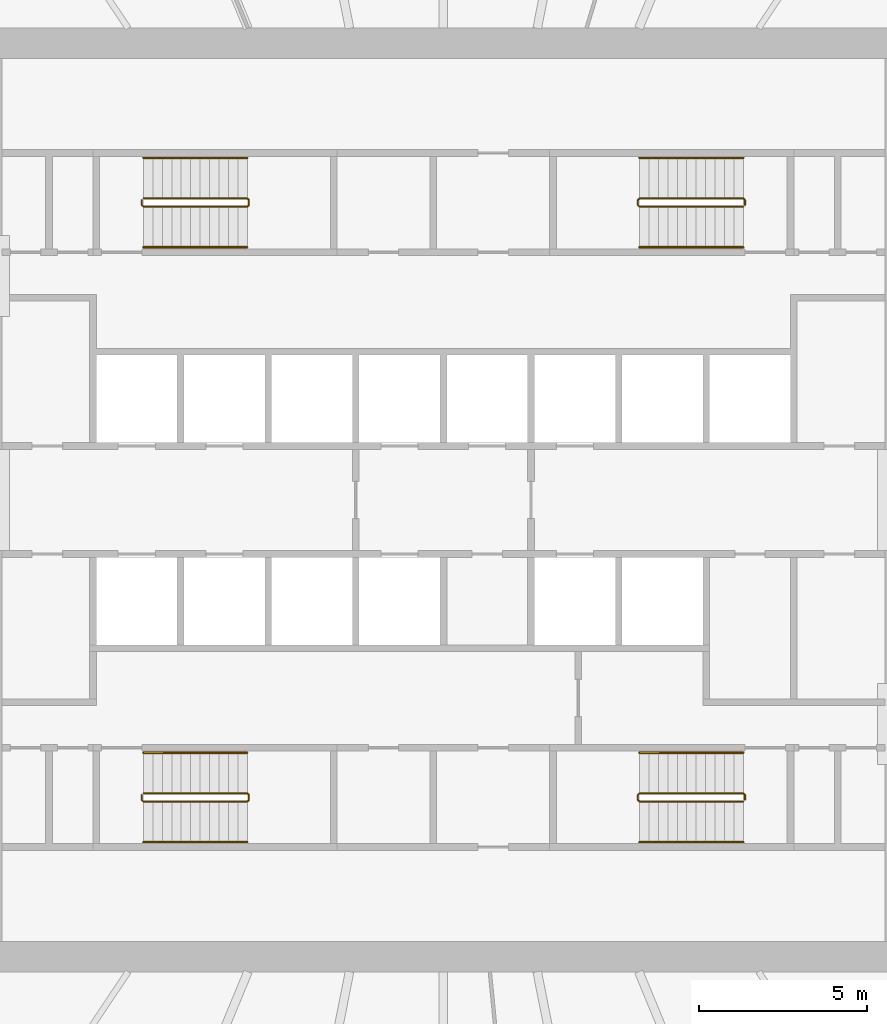
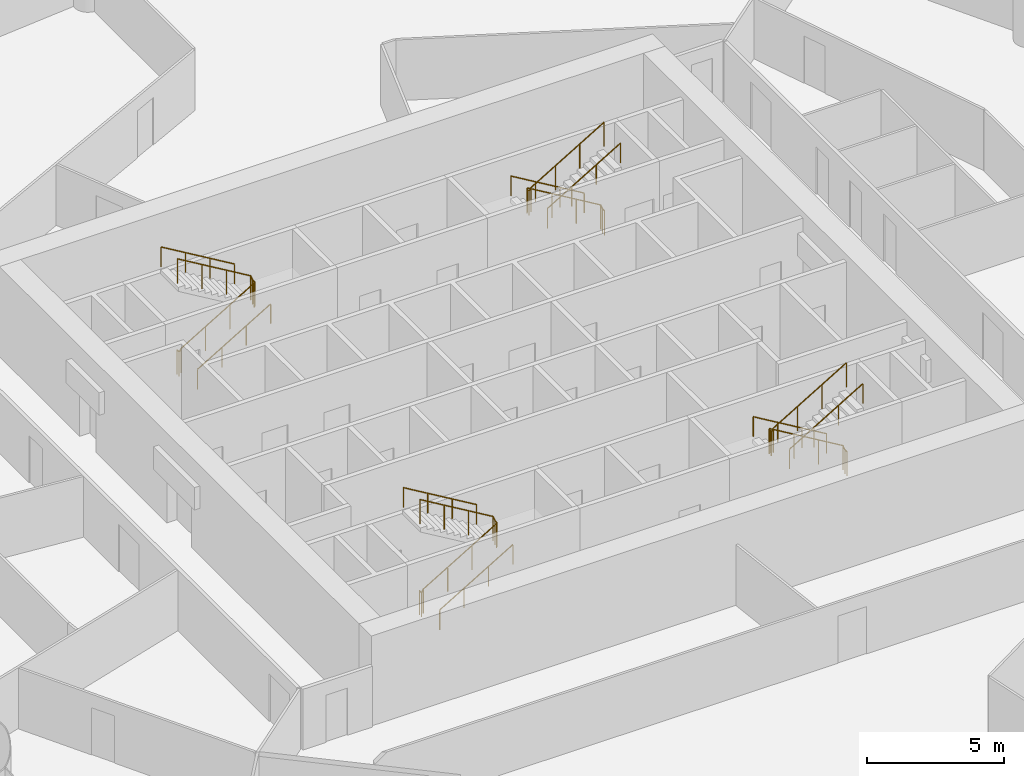
# One storey, part 8 of 8: 12 railings.
"""IFC4 building model written with IfcOpenShell, lengths in metres."""

from ifc_helpers import new_model, si_unit, direction, frame, origin, origin_2d, place, context, subcontext, project, spatial, circle, extrude, material, type_object, element, save


model = new_model("IFC4")

# Units and contexts
model_context = context("Model", 3, precision=1e-05, world=origin(), true_north=direction((0.0, 1.0)))
body_context = subcontext(model_context, "Body", "Model", "MODEL_VIEW")
ifc_project = project(units=[si_unit("LENGTHUNIT", "METRE"), si_unit("AREAUNIT", "SQUARE_METRE"), si_unit("VOLUMEUNIT", "CUBIC_METRE"), si_unit("PLANEANGLEUNIT", "RADIAN"), si_unit("MASSUNIT", "GRAM", prefix="KILO")], contexts=[model_context])

# Site, building, storey
site_placement = place(None, origin())
site = spatial("IfcSite", under=ifc_project, at=site_placement, CompositionType="ELEMENT")
building_placement = place(site_placement, origin())
building = spatial("IfcBuilding", under=site, at=building_placement, Name="Corvane Civic Tower", CompositionType="ELEMENT")
storey_placement = place(building_placement, frame((0.0, 0.0, 152.0)))
storey = spatial("IfcBuildingStorey", under=building, at=storey_placement, Name="L35", CompositionType="ELEMENT", Elevation=152.0)

# Railings
ifc_material_1 = material(Name="Steel ASTM A572 Gr 50", Category="steel")
railing_type_1 = type_object("IfcRailingType", Name="ST-GUARD-1100", PredefinedType="GUARDRAIL", material=ifc_material_1)
railing_1_placement = place(storey_placement, frame((8.949951171875, 8.75, 0.0)))
element("IfcRailing", 1, at=railing_1_placement, inside=storey, type_object=railing_type_1, Name="L35 ST1 stair guard 1", PredefinedType="GUARDRAIL", context=body_context, shape_type="SweptSolid", body=[
    extrude(circle(Radius=0.02392578125, at=origin_2d()), frame((0.0, 0.0, 1.076171875), z_axis=(0.0, 1.0, 0.0), x_axis=(-1.0, 0.0, 0.0)), (0.0, 0.0, 1.0), 0.14990234375),
    extrude(circle(Radius=0.02392578125, at=origin_2d()), frame((0.0, 0.14990234375, 1.076171875), z_axis=(-0.27628659633, 0.27628659633, 0.920506074601), x_axis=(-0.707106781187, -0.707106781187, 0.0)), (0.0, 0.0, 1.0), 0.18115234375),
    extrude(circle(Radius=0.02392578125, at=origin_2d()), frame((-0.050048828125, 0.199951171875, 1.24267578125), z_axis=(-0.859290745958, 0.0, 0.51148745235), x_axis=(0.0, -1.0, 0.0)), (0.0, 0.0, 1.0), 3.584228515625),
    extrude(circle(Radius=0.02392578125, at=origin_2d()), frame((-3.1298828125, 0.199951171875, 3.076171875), z_axis=(-0.707106781187, -0.707106781187, 0.0), x_axis=(0.707106781187, -0.707106781187, 0.0)), (0.0, 0.0, 1.0), 0.07080078125),
    extrude(circle(Radius=0.02392578125, at=origin_2d()), frame((-3.179931640625, 0.14990234375, 3.076171875), z_axis=(0.0, -1.0, 0.0), x_axis=(1.0, 0.0, 0.0)), (0.0, 0.0, 1.0), 0.14990234375),
    extrude(circle(Radius=0.02392578125, at=origin_2d()), frame((-3.179931640625, 0.0, 3.076171875), z_axis=(0.27628659633, -0.27628659633, 0.920506074601), x_axis=(0.707106781187, 0.707106781187, 0.0)), (0.0, 0.0, 1.0), 0.18115234375),
    extrude(circle(Radius=0.02392578125, at=origin_2d()), frame((-3.1298828125, -0.050048828125, 3.24267578125), z_axis=(0.859290745958, 0.0, 0.51148745235), x_axis=(0.0, 1.0, 0.0)), (0.0, 0.0, 1.0), 3.584228515625),
    extrude(circle(Radius=0.02099609375, at=origin_2d()), origin(), (0.0, 0.0, 1.0), 1.052001953125),
    extrude(circle(Radius=0.02099609375, at=origin_2d()), frame((0.0, 0.14990234375, 0.0)), (0.0, 0.0, 1.0), 1.052001953125),
    extrude(circle(Radius=0.02099609375, at=origin_2d()), frame((-0.050048828125, 0.199951171875, 0.166748046875)), (0.0, 0.0, 1.0), 1.052001953125),
    extrude(circle(Radius=0.02099609375, at=origin_2d()), frame((-1.07666015625, 0.199951171875, 0.77783203125)), (0.0, 0.0, 1.0), 1.052001953125),
    extrude(circle(Radius=0.02099609375, at=origin_2d()), frame((-2.103271484375, 0.199951171875, 1.388916015625)), (0.0, 0.0, 1.0), 1.052001953125),
    extrude(circle(Radius=0.02099609375, at=origin_2d()), frame((-3.1298828125, 0.199951171875, 2.0)), (0.0, 0.0, 1.0), 1.052001953125),
    extrude(circle(Radius=0.02099609375, at=origin_2d()), frame((-3.179931640625, 0.14990234375, 2.0)), (0.0, 0.0, 1.0), 1.052001953125),
    extrude(circle(Radius=0.02099609375, at=origin_2d()), frame((-3.179931640625, 0.0, 2.0)), (0.0, 0.0, 1.0), 1.052001953125),
    extrude(circle(Radius=0.02099609375, at=origin_2d()), frame((-3.1298828125, -0.050048828125, 2.166748046875)), (0.0, 0.0, 1.0), 1.052001953125),
    extrude(circle(Radius=0.02099609375, at=origin_2d()), frame((-2.103271484375, -0.050048828125, 2.77783203125)), (0.0, 0.0, 1.0), 1.052001953125),
    extrude(circle(Radius=0.02099609375, at=origin_2d()), frame((-1.07666015625, -0.050048828125, 3.388916015625)), (0.0, 0.0, 1.0), 1.052001953125),
    extrude(circle(Radius=0.02099609375, at=origin_2d()), frame((-0.050048828125, -0.050048828125, 4.0)), (0.0, 0.0, 1.0), 1.052001953125),
])
railing_2_placement = place(storey_placement, frame((8.949951171875, -8.89990234375, 0.0)))
element("IfcRailing", 2, at=railing_2_placement, inside=storey, type_object=railing_type_1, Name="L35 ST2 stair guard 1", PredefinedType="GUARDRAIL", context=body_context, shape_type="SweptSolid", body=[
    extrude(circle(Radius=0.02392578125, at=origin_2d()), frame((0.0, 0.0, 1.076171875), z_axis=(0.0, 1.0, 0.0), x_axis=(-1.0, 0.0, 0.0)), (0.0, 0.0, 1.0), 0.14990234375),
    extrude(circle(Radius=0.02392578125, at=origin_2d()), frame((0.0, 0.14990234375, 1.076171875), z_axis=(-0.27628659633, 0.27628659633, 0.920506074601), x_axis=(-0.707106781187, -0.707106781187, 0.0)), (0.0, 0.0, 1.0), 0.18115234375),
    extrude(circle(Radius=0.02392578125, at=origin_2d()), frame((-0.050048828125, 0.199951171875, 1.24267578125), z_axis=(-0.859290745958, 0.0, 0.51148745235), x_axis=(0.0, -1.0, 0.0)), (0.0, 0.0, 1.0), 3.584228515625),
    extrude(circle(Radius=0.02392578125, at=origin_2d()), frame((-3.1298828125, 0.199951171875, 3.076171875), z_axis=(-0.707106781187, -0.707106781187, 0.0), x_axis=(0.707106781187, -0.707106781187, 0.0)), (0.0, 0.0, 1.0), 0.07080078125),
    extrude(circle(Radius=0.02392578125, at=origin_2d()), frame((-3.179931640625, 0.14990234375, 3.076171875), z_axis=(0.0, -1.0, 0.0), x_axis=(1.0, 0.0, 0.0)), (0.0, 0.0, 1.0), 0.14990234375),
    extrude(circle(Radius=0.02392578125, at=origin_2d()), frame((-3.179931640625, 0.0, 3.076171875), z_axis=(0.27628659633, -0.27628659633, 0.920506074601), x_axis=(0.707106781187, 0.707106781187, 0.0)), (0.0, 0.0, 1.0), 0.18115234375),
    extrude(circle(Radius=0.02392578125, at=origin_2d()), frame((-3.1298828125, -0.050048828125, 3.24267578125), z_axis=(0.859290745958, 0.0, 0.51148745235), x_axis=(0.0, 1.0, 0.0)), (0.0, 0.0, 1.0), 3.584228515625),
    extrude(circle(Radius=0.02099609375, at=origin_2d()), origin(), (0.0, 0.0, 1.0), 1.052001953125),
    extrude(circle(Radius=0.02099609375, at=origin_2d()), frame((0.0, 0.14990234375, 0.0)), (0.0, 0.0, 1.0), 1.052001953125),
    extrude(circle(Radius=0.02099609375, at=origin_2d()), frame((-0.050048828125, 0.199951171875, 0.166748046875)), (0.0, 0.0, 1.0), 1.052001953125),
    extrude(circle(Radius=0.02099609375, at=origin_2d()), frame((-1.07666015625, 0.199951171875, 0.77783203125)), (0.0, 0.0, 1.0), 1.052001953125),
    extrude(circle(Radius=0.02099609375, at=origin_2d()), frame((-2.103271484375, 0.199951171875, 1.388916015625)), (0.0, 0.0, 1.0), 1.052001953125),
    extrude(circle(Radius=0.02099609375, at=origin_2d()), frame((-3.1298828125, 0.199951171875, 2.0)), (0.0, 0.0, 1.0), 1.052001953125),
    extrude(circle(Radius=0.02099609375, at=origin_2d()), frame((-3.179931640625, 0.14990234375, 2.0)), (0.0, 0.0, 1.0), 1.052001953125),
    extrude(circle(Radius=0.02099609375, at=origin_2d()), frame((-3.179931640625, 0.0, 2.0)), (0.0, 0.0, 1.0), 1.052001953125),
    extrude(circle(Radius=0.02099609375, at=origin_2d()), frame((-3.1298828125, -0.050048828125, 2.166748046875)), (0.0, 0.0, 1.0), 1.052001953125),
    extrude(circle(Radius=0.02099609375, at=origin_2d()), frame((-2.103271484375, -0.050048828125, 2.77783203125)), (0.0, 0.0, 1.0), 1.052001953125),
    extrude(circle(Radius=0.02099609375, at=origin_2d()), frame((-1.07666015625, -0.050048828125, 3.388916015625)), (0.0, 0.0, 1.0), 1.052001953125),
    extrude(circle(Radius=0.02099609375, at=origin_2d()), frame((-0.050048828125, -0.050048828125, 4.0)), (0.0, 0.0, 1.0), 1.052001953125),
])
railing_3_placement = place(storey_placement, frame((-8.949951171875, -8.75, 0.0)))
element("IfcRailing", 3, at=railing_3_placement, inside=storey, type_object=railing_type_1, Name="L35 ST3 stair guard 1", PredefinedType="GUARDRAIL", context=body_context, shape_type="SweptSolid", body=[
    extrude(circle(Radius=0.02392578125, at=origin_2d()), frame((0.0, 0.0, 1.076171875), z_axis=(0.0, -1.0, 0.0), x_axis=(1.0, 0.0, 0.0)), (0.0, 0.0, 1.0), 0.14990234375),
    extrude(circle(Radius=0.02392578125, at=origin_2d()), frame((0.0, -0.14990234375, 1.076171875), z_axis=(0.27628659633, -0.27628659633, 0.920506074601), x_axis=(0.707106781187, 0.707106781187, 0.0)), (0.0, 0.0, 1.0), 0.18115234375),
    extrude(circle(Radius=0.02392578125, at=origin_2d()), frame((0.050048828125, -0.199951171875, 1.24267578125), z_axis=(0.859290745958, 0.0, 0.51148745235), x_axis=(0.0, 1.0, 0.0)), (0.0, 0.0, 1.0), 3.584228515625),
    extrude(circle(Radius=0.02392578125, at=origin_2d()), frame((3.1298828125, -0.199951171875, 3.076171875), z_axis=(0.707106781187, 0.707106781187, 0.0), x_axis=(-0.707106781187, 0.707106781187, 0.0)), (0.0, 0.0, 1.0), 0.07080078125),
    extrude(circle(Radius=0.02392578125, at=origin_2d()), frame((3.179931640625, -0.14990234375, 3.076171875), z_axis=(0.0, 1.0, 0.0), x_axis=(-1.0, 0.0, 0.0)), (0.0, 0.0, 1.0), 0.14990234375),
    extrude(circle(Radius=0.02392578125, at=origin_2d()), frame((3.179931640625, 0.0, 3.076171875), z_axis=(-0.27628659633, 0.27628659633, 0.920506074601), x_axis=(-0.707106781187, -0.707106781187, 0.0)), (0.0, 0.0, 1.0), 0.18115234375),
    extrude(circle(Radius=0.02392578125, at=origin_2d()), frame((3.1298828125, 0.050048828125, 3.24267578125), z_axis=(-0.859290745958, 0.0, 0.51148745235), x_axis=(0.0, -1.0, 0.0)), (0.0, 0.0, 1.0), 3.584228515625),
    extrude(circle(Radius=0.02099609375, at=origin_2d()), origin(), (0.0, 0.0, 1.0), 1.052001953125),
    extrude(circle(Radius=0.02099609375, at=origin_2d()), frame((0.0, -0.14990234375, 0.0)), (0.0, 0.0, 1.0), 1.052001953125),
    extrude(circle(Radius=0.02099609375, at=origin_2d()), frame((0.050048828125, -0.199951171875, 0.166748046875)), (0.0, 0.0, 1.0), 1.052001953125),
    extrude(circle(Radius=0.02099609375, at=origin_2d()), frame((1.07666015625, -0.199951171875, 0.77783203125)), (0.0, 0.0, 1.0), 1.052001953125),
    extrude(circle(Radius=0.02099609375, at=origin_2d()), frame((2.103271484375, -0.199951171875, 1.388916015625)), (0.0, 0.0, 1.0), 1.052001953125),
    extrude(circle(Radius=0.02099609375, at=origin_2d()), frame((3.1298828125, -0.199951171875, 2.0)), (0.0, 0.0, 1.0), 1.052001953125),
    extrude(circle(Radius=0.02099609375, at=origin_2d()), frame((3.179931640625, -0.14990234375, 2.0)), (0.0, 0.0, 1.0), 1.052001953125),
    extrude(circle(Radius=0.02099609375, at=origin_2d()), frame((3.179931640625, 0.0, 2.0)), (0.0, 0.0, 1.0), 1.052001953125),
    extrude(circle(Radius=0.02099609375, at=origin_2d()), frame((3.1298828125, 0.050048828125, 2.166748046875)), (0.0, 0.0, 1.0), 1.052001953125),
    extrude(circle(Radius=0.02099609375, at=origin_2d()), frame((2.103271484375, 0.050048828125, 2.77783203125)), (0.0, 0.0, 1.0), 1.052001953125),
    extrude(circle(Radius=0.02099609375, at=origin_2d()), frame((1.07666015625, 0.050048828125, 3.388916015625)), (0.0, 0.0, 1.0), 1.052001953125),
    extrude(circle(Radius=0.02099609375, at=origin_2d()), frame((0.050048828125, 0.050048828125, 4.0)), (0.0, 0.0, 1.0), 1.052001953125),
])
railing_4_placement = place(storey_placement, frame((-8.949951171875, 8.89990234375, 0.0)))
element("IfcRailing", 4, at=railing_4_placement, inside=storey, type_object=railing_type_1, Name="L35 ST4 stair guard 1", PredefinedType="GUARDRAIL", context=body_context, shape_type="SweptSolid", body=[
    extrude(circle(Radius=0.02392578125, at=origin_2d()), frame((0.0, 0.0, 1.076171875), z_axis=(0.0, -1.0, 0.0), x_axis=(1.0, 0.0, 0.0)), (0.0, 0.0, 1.0), 0.14990234375),
    extrude(circle(Radius=0.02392578125, at=origin_2d()), frame((0.0, -0.14990234375, 1.076171875), z_axis=(0.27628659633, -0.27628659633, 0.920506074601), x_axis=(0.707106781187, 0.707106781187, 0.0)), (0.0, 0.0, 1.0), 0.18115234375),
    extrude(circle(Radius=0.02392578125, at=origin_2d()), frame((0.050048828125, -0.199951171875, 1.24267578125), z_axis=(0.859290745958, 0.0, 0.51148745235), x_axis=(0.0, 1.0, 0.0)), (0.0, 0.0, 1.0), 3.584228515625),
    extrude(circle(Radius=0.02392578125, at=origin_2d()), frame((3.1298828125, -0.199951171875, 3.076171875), z_axis=(0.707106781187, 0.707106781187, 0.0), x_axis=(-0.707106781187, 0.707106781187, 0.0)), (0.0, 0.0, 1.0), 0.07080078125),
    extrude(circle(Radius=0.02392578125, at=origin_2d()), frame((3.179931640625, -0.14990234375, 3.076171875), z_axis=(0.0, 1.0, 0.0), x_axis=(-1.0, 0.0, 0.0)), (0.0, 0.0, 1.0), 0.14990234375),
    extrude(circle(Radius=0.02392578125, at=origin_2d()), frame((3.179931640625, 0.0, 3.076171875), z_axis=(-0.27628659633, 0.27628659633, 0.920506074601), x_axis=(-0.707106781187, -0.707106781187, 0.0)), (0.0, 0.0, 1.0), 0.18115234375),
    extrude(circle(Radius=0.02392578125, at=origin_2d()), frame((3.1298828125, 0.050048828125, 3.24267578125), z_axis=(-0.859290745958, 0.0, 0.51148745235), x_axis=(0.0, -1.0, 0.0)), (0.0, 0.0, 1.0), 3.584228515625),
    extrude(circle(Radius=0.02099609375, at=origin_2d()), origin(), (0.0, 0.0, 1.0), 1.052001953125),
    extrude(circle(Radius=0.02099609375, at=origin_2d()), frame((0.0, -0.14990234375, 0.0)), (0.0, 0.0, 1.0), 1.052001953125),
    extrude(circle(Radius=0.02099609375, at=origin_2d()), frame((0.050048828125, -0.199951171875, 0.166748046875)), (0.0, 0.0, 1.0), 1.052001953125),
    extrude(circle(Radius=0.02099609375, at=origin_2d()), frame((1.07666015625, -0.199951171875, 0.77783203125)), (0.0, 0.0, 1.0), 1.052001953125),
    extrude(circle(Radius=0.02099609375, at=origin_2d()), frame((2.103271484375, -0.199951171875, 1.388916015625)), (0.0, 0.0, 1.0), 1.052001953125),
    extrude(circle(Radius=0.02099609375, at=origin_2d()), frame((3.1298828125, -0.199951171875, 2.0)), (0.0, 0.0, 1.0), 1.052001953125),
    extrude(circle(Radius=0.02099609375, at=origin_2d()), frame((3.179931640625, -0.14990234375, 2.0)), (0.0, 0.0, 1.0), 1.052001953125),
    extrude(circle(Radius=0.02099609375, at=origin_2d()), frame((3.179931640625, 0.0, 2.0)), (0.0, 0.0, 1.0), 1.052001953125),
    extrude(circle(Radius=0.02099609375, at=origin_2d()), frame((3.1298828125, 0.050048828125, 2.166748046875)), (0.0, 0.0, 1.0), 1.052001953125),
    extrude(circle(Radius=0.02099609375, at=origin_2d()), frame((2.103271484375, 0.050048828125, 2.77783203125)), (0.0, 0.0, 1.0), 1.052001953125),
    extrude(circle(Radius=0.02099609375, at=origin_2d()), frame((1.07666015625, 0.050048828125, 3.388916015625)), (0.0, 0.0, 1.0), 1.052001953125),
    extrude(circle(Radius=0.02099609375, at=origin_2d()), frame((0.050048828125, 0.050048828125, 4.0)), (0.0, 0.0, 1.0), 1.052001953125),
])
ifc_material_2 = material(Name="Steel ASTM A572 Gr 50", Category="steel")
railing_type_2 = type_object("IfcRailingType", Name="ST-HANDRAIL-900", PredefinedType="HANDRAIL", material=ifc_material_2)
railing_5_placement = place(storey_placement, frame((8.89990234375, 10.14990234375, 0.166748046875)))
element("IfcRailing", 5, at=railing_5_placement, inside=storey, type_object=railing_type_2, Name="L35 ST1 stair handrail 1", PredefinedType="HANDRAIL", context=body_context, shape_type="SweptSolid", body=[
    extrude(circle(Radius=0.02392578125, at=origin_2d()), frame((0.0, 0.0, 0.8759765625), z_axis=(-0.859290745958, 0.0, 0.51148745235), x_axis=(0.0, -1.0, 0.0)), (0.0, 0.0, 1.0), 3.584228515625),
    extrude(circle(Radius=0.02099609375, at=origin_2d()), origin(), (0.0, 0.0, 1.0), 0.851806640625),
    extrude(circle(Radius=0.02099609375, at=origin_2d()), frame((-1.026611328125, 0.0, 0.611083984375)), (0.0, 0.0, 1.0), 0.851806640625),
    extrude(circle(Radius=0.02099609375, at=origin_2d()), frame((-2.05322265625, 0.0, 1.22216796875)), (0.0, 0.0, 1.0), 0.851806640625),
    extrude(circle(Radius=0.02099609375, at=origin_2d()), frame((-3.079833984375, 0.0, 1.833251953125)), (0.0, 0.0, 1.0), 0.851806640625),
])
railing_6_placement = place(storey_placement, frame((5.820068359375, 7.5, 2.166748046875)))
element("IfcRailing", 6, at=railing_6_placement, inside=storey, type_object=railing_type_2, Name="L35 ST1 stair handrail 2", PredefinedType="HANDRAIL", context=body_context, shape_type="SweptSolid", body=[
    extrude(circle(Radius=0.02392578125, at=origin_2d()), frame((0.0, 0.0, 0.8759765625), z_axis=(0.859290745958, 0.0, 0.51148745235), x_axis=(0.0, 1.0, 0.0)), (0.0, 0.0, 1.0), 3.584228515625),
    extrude(circle(Radius=0.02099609375, at=origin_2d()), origin(), (0.0, 0.0, 1.0), 0.851806640625),
    extrude(circle(Radius=0.02099609375, at=origin_2d()), frame((1.026611328125, 0.0, 0.611083984375)), (0.0, 0.0, 1.0), 0.851806640625),
    extrude(circle(Radius=0.02099609375, at=origin_2d()), frame((2.05322265625, 0.0, 1.22216796875)), (0.0, 0.0, 1.0), 0.851806640625),
    extrude(circle(Radius=0.02099609375, at=origin_2d()), frame((3.079833984375, 0.0, 1.833251953125)), (0.0, 0.0, 1.0), 0.851806640625),
])
railing_7_placement = place(storey_placement, frame((8.89990234375, -7.5, 0.166748046875)))
element("IfcRailing", 7, at=railing_7_placement, inside=storey, type_object=railing_type_2, Name="L35 ST2 stair handrail 1", PredefinedType="HANDRAIL", context=body_context, shape_type="SweptSolid", body=[
    extrude(circle(Radius=0.02392578125, at=origin_2d()), frame((0.0, 0.0, 0.8759765625), z_axis=(-0.859290745958, 0.0, 0.51148745235), x_axis=(0.0, -1.0, 0.0)), (0.0, 0.0, 1.0), 3.584228515625),
    extrude(circle(Radius=0.02099609375, at=origin_2d()), origin(), (0.0, 0.0, 1.0), 0.851806640625),
    extrude(circle(Radius=0.02099609375, at=origin_2d()), frame((-1.026611328125, 0.0, 0.611083984375)), (0.0, 0.0, 1.0), 0.851806640625),
    extrude(circle(Radius=0.02099609375, at=origin_2d()), frame((-2.05322265625, 0.0, 1.22216796875)), (0.0, 0.0, 1.0), 0.851806640625),
    extrude(circle(Radius=0.02099609375, at=origin_2d()), frame((-3.079833984375, 0.0, 1.833251953125)), (0.0, 0.0, 1.0), 0.851806640625),
])
for number, where, name in (
    (8, (5.820068359375, -10.14990234375, 2.166748046875), "L35 ST2 stair handrail 2"),
    (9, (-8.89990234375, -10.14990234375, 0.166748046875), "L35 ST3 stair handrail 1"),
):
    element("IfcRailing", number, at=place(storey_placement, frame(where)), inside=storey, type_object=railing_type_2, Name=name, PredefinedType="HANDRAIL", context=body_context, shape_type="SweptSolid", body=[
        extrude(circle(Radius=0.02392578125, at=origin_2d()), frame((0.0, 0.0, 0.8759765625), z_axis=(0.859290745958, 0.0, 0.51148745235), x_axis=(0.0, 1.0, 0.0)), (0.0, 0.0, 1.0), 3.584228515625),
        extrude(circle(Radius=0.02099609375, at=origin_2d()), origin(), (0.0, 0.0, 1.0), 0.851806640625),
        extrude(circle(Radius=0.02099609375, at=origin_2d()), frame((1.026611328125, 0.0, 0.611083984375)), (0.0, 0.0, 1.0), 0.851806640625),
        extrude(circle(Radius=0.02099609375, at=origin_2d()), frame((2.05322265625, 0.0, 1.22216796875)), (0.0, 0.0, 1.0), 0.851806640625),
        extrude(circle(Radius=0.02099609375, at=origin_2d()), frame((3.079833984375, 0.0, 1.833251953125)), (0.0, 0.0, 1.0), 0.851806640625),
    ])
railing_8_placement = place(storey_placement, frame((-5.820068359375, -7.5, 2.166748046875)))
element("IfcRailing", 10, at=railing_8_placement, inside=storey, type_object=railing_type_2, Name="L35 ST3 stair handrail 2", PredefinedType="HANDRAIL", context=body_context, shape_type="SweptSolid", body=[
    extrude(circle(Radius=0.02392578125, at=origin_2d()), frame((0.0, 0.0, 0.8759765625), z_axis=(-0.859290745958, 0.0, 0.51148745235), x_axis=(0.0, -1.0, 0.0)), (0.0, 0.0, 1.0), 3.584228515625),
    extrude(circle(Radius=0.02099609375, at=origin_2d()), origin(), (0.0, 0.0, 1.0), 0.851806640625),
    extrude(circle(Radius=0.02099609375, at=origin_2d()), frame((-1.026611328125, 0.0, 0.611083984375)), (0.0, 0.0, 1.0), 0.851806640625),
    extrude(circle(Radius=0.02099609375, at=origin_2d()), frame((-2.05322265625, 0.0, 1.22216796875)), (0.0, 0.0, 1.0), 0.851806640625),
    extrude(circle(Radius=0.02099609375, at=origin_2d()), frame((-3.079833984375, 0.0, 1.833251953125)), (0.0, 0.0, 1.0), 0.851806640625),
])
railing_9_placement = place(storey_placement, frame((-8.89990234375, 7.5, 0.166748046875)))
element("IfcRailing", 11, at=railing_9_placement, inside=storey, type_object=railing_type_2, Name="L35 ST4 stair handrail 1", PredefinedType="HANDRAIL", context=body_context, shape_type="SweptSolid", body=[
    extrude(circle(Radius=0.02392578125, at=origin_2d()), frame((0.0, 0.0, 0.8759765625), z_axis=(0.859290745958, 0.0, 0.51148745235), x_axis=(0.0, 1.0, 0.0)), (0.0, 0.0, 1.0), 3.584228515625),
    extrude(circle(Radius=0.02099609375, at=origin_2d()), origin(), (0.0, 0.0, 1.0), 0.851806640625),
    extrude(circle(Radius=0.02099609375, at=origin_2d()), frame((1.026611328125, 0.0, 0.611083984375)), (0.0, 0.0, 1.0), 0.851806640625),
    extrude(circle(Radius=0.02099609375, at=origin_2d()), frame((2.05322265625, 0.0, 1.22216796875)), (0.0, 0.0, 1.0), 0.851806640625),
    extrude(circle(Radius=0.02099609375, at=origin_2d()), frame((3.079833984375, 0.0, 1.833251953125)), (0.0, 0.0, 1.0), 0.851806640625),
])
railing_10_placement = place(storey_placement, frame((-5.820068359375, 10.14990234375, 2.166748046875)))
element("IfcRailing", 12, at=railing_10_placement, inside=storey, type_object=railing_type_2, Name="L35 ST4 stair handrail 2", PredefinedType="HANDRAIL", context=body_context, shape_type="SweptSolid", body=[
    extrude(circle(Radius=0.02392578125, at=origin_2d()), frame((0.0, 0.0, 0.8759765625), z_axis=(-0.859290745958, 0.0, 0.51148745235), x_axis=(0.0, -1.0, 0.0)), (0.0, 0.0, 1.0), 3.584228515625),
    extrude(circle(Radius=0.02099609375, at=origin_2d()), origin(), (0.0, 0.0, 1.0), 0.851806640625),
    extrude(circle(Radius=0.02099609375, at=origin_2d()), frame((-1.026611328125, 0.0, 0.611083984375)), (0.0, 0.0, 1.0), 0.851806640625),
    extrude(circle(Radius=0.02099609375, at=origin_2d()), frame((-2.05322265625, 0.0, 1.22216796875)), (0.0, 0.0, 1.0), 0.851806640625),
    extrude(circle(Radius=0.02099609375, at=origin_2d()), frame((-3.079833984375, 0.0, 1.833251953125)), (0.0, 0.0, 1.0), 0.851806640625),
])

save(model, "model.ifc")
